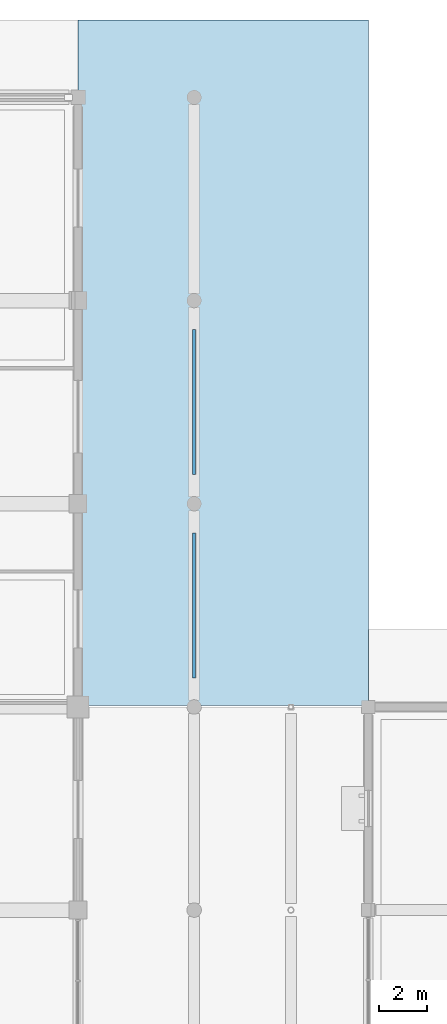
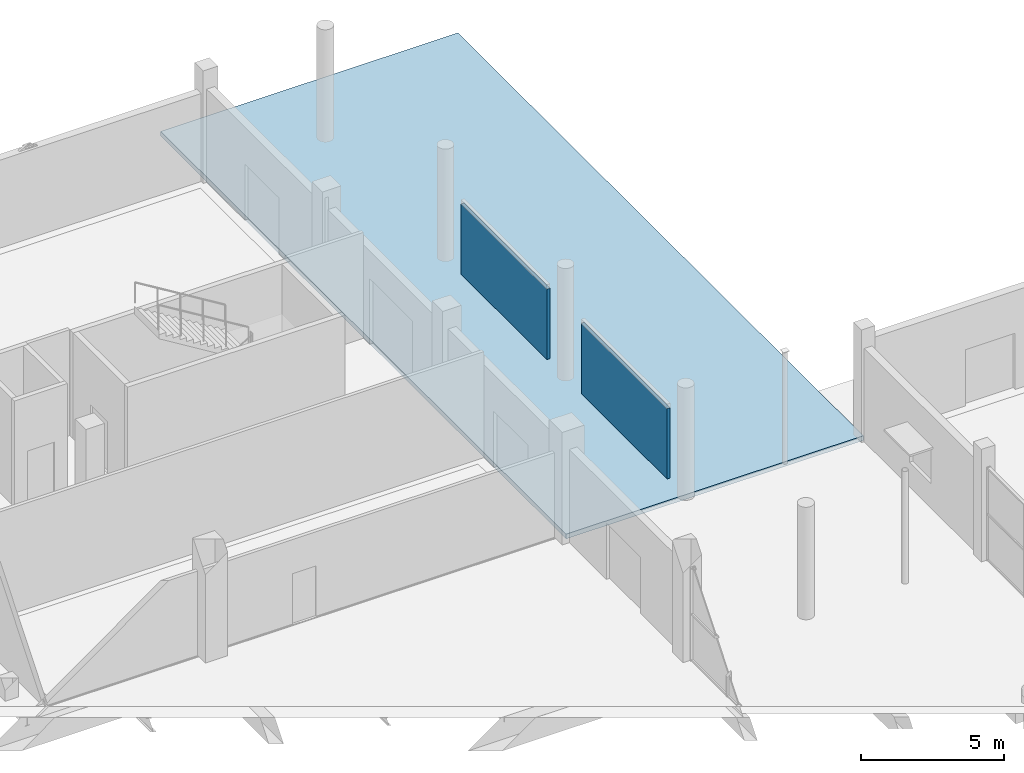
# One storey, part 87 of 130: 2 plates, 1 slab.
"""IFC4 building model written with IfcOpenShell, lengths in metres."""

from ifc_helpers import new_model, si_unit, direction, frame, origin, origin_2d, place, context, subcontext, project, spatial, polyline, rectangle, outline, extrude, material, layer, layer_set, type_object, element, save


model = new_model("IFC4")

# Units and contexts
model_context = context("Model", 3, precision=1e-05, world=origin(), true_north=direction((0.0, 1.0)))
body_context = subcontext(model_context, "Body", "Model", "MODEL_VIEW")
ifc_project = project(units=[si_unit("LENGTHUNIT", "METRE"), si_unit("AREAUNIT", "SQUARE_METRE"), si_unit("VOLUMEUNIT", "CUBIC_METRE"), si_unit("PLANEANGLEUNIT", "RADIAN"), si_unit("MASSUNIT", "GRAM", prefix="KILO"), si_unit("THERMODYNAMICTEMPERATUREUNIT", "KELVIN")], contexts=[model_context])

# Site, building, storey
site_placement = place(None, origin())
site = spatial("IfcSite", under=ifc_project, at=site_placement, CompositionType="ELEMENT")
building_placement = place(site_placement, origin())
building = spatial("IfcBuilding", under=site, at=building_placement, Name="Nduvali Passage Aquatics Centre", CompositionType="ELEMENT")
storey_placement = place(building_placement, origin())
storey = spatial("IfcBuildingStorey", under=building, at=storey_placement, Name="L00", CompositionType="ELEMENT", Elevation=0.0)

# Plates
ifc_material_1 = material(Name="Coral-stone masonry blockwork", Category="masonry")
ifc_layer_1 = layer(ifc_material_1, 0.1201171875, Name="Coral-stone masonry blockwork")
ifc_layer_set_1 = layer_set([ifc_layer_1], Name="Coral-stone masonry blockwork")
plate_type = type_object("IfcPlateType", Name="ENV-PLT-CLS120", PredefinedType="USERDEFINED", material=ifc_layer_set_1)
for number, where, z_axis, x_axis, name in (
    (1, (130.800048828125, 96.60009765625, 0.0), (0.0, 0.0, 1.0), (0.0, 1.0, 0.0), "L00 Passage North Claustra 1"),
    (2, (130.800048828125, 105.0, 0.0), (0.0, 0.0, 1.0), (0.0, 1.0, 0.0), "L00 Passage North Claustra 2"),
):
    element("IfcPlate", number, at=place(storey_placement, frame(where, z_axis=z_axis, x_axis=x_axis)), inside=storey, type_object=plate_type, Name=name, ObjectType="CLAUSTRA SCREEN", PredefinedType="USERDEFINED", context=body_context, shape_type="SweptSolid", body=[
        extrude(rectangle(XDim=6.0, YDim=0.1201171875, at=origin_2d()), origin(), (0.0, 0.0, 1.0), 3.0),
    ])

# Slab
ifc_material_2 = material(Name="Concrete C40/50", Category="concrete")
ifc_layer_2 = layer(ifc_material_2, 0.199951171875, Name="Concrete C40/50")
ifc_layer_set_2 = layer_set([ifc_layer_2], Name="Concrete C40/50")
slab_type = type_object("IfcSlabType", Name="STR-SLB-PAV200", PredefinedType="BASESLAB", material=ifc_layer_set_2)
slab_placement = place(storey_placement, frame((0.0, 0.0, -0.199951171875)))
element("IfcSlab", 3, at=slab_placement, inside=storey, type_object=slab_type, Name="L00 Colonnaded Public Monsoon Passage Paving Deck North", PredefinedType="BASESLAB", context=body_context, shape_type="SweptSolid", body=[
    extrude(outline(polyline([(126.0, 92.449951171875), (138.0, 92.449951171875), (138.0, 120.800048828125), (126.0, 120.800048828125), (126.0, 92.449951171875)])), origin(), (0.0, 0.0, 1.0), 0.199951171875),
])

save(model, "model.ifc")
